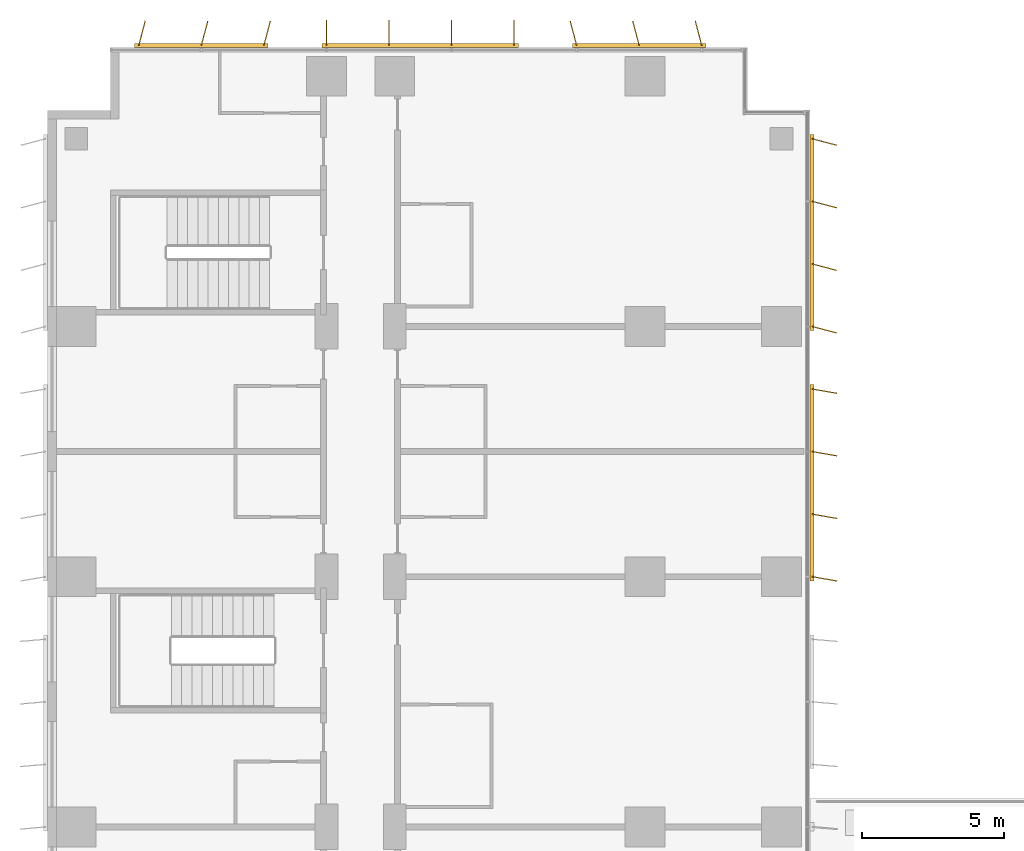
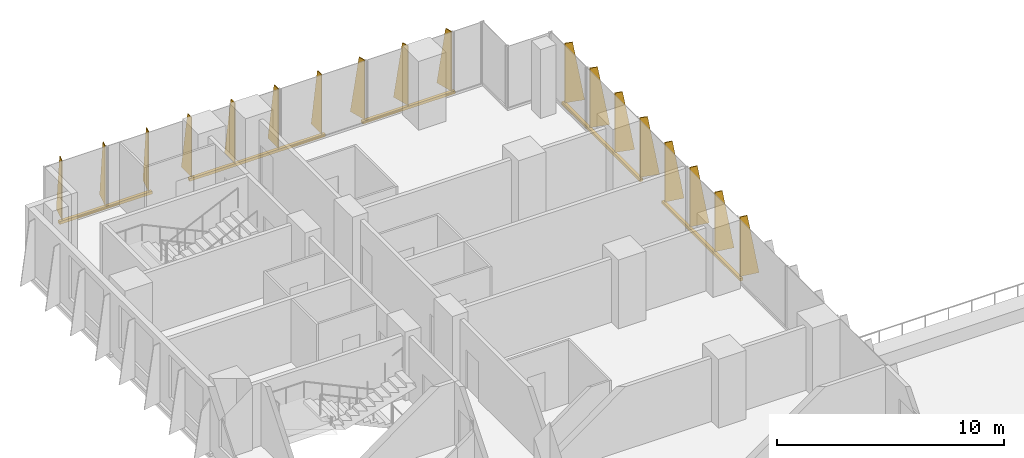
# One storey, part 23 of 23: 5 shading devices.
"""IFC4 building model written with IfcOpenShell, lengths in metres."""

from ifc_helpers import new_model, si_unit, direction, frame, origin, origin_2d, place, context, subcontext, project, spatial, polyline, rectangle, outline, extrude, source, transform, mapped, material, layer, layer_set, type_object, element, save


model = new_model("IFC4")

# Units and contexts
model_context = context("Model", 3, precision=1e-05, world=origin(), true_north=direction((0.0, 1.0)))
body_context = subcontext(model_context, "Body", "Model", "MODEL_VIEW")
ifc_project = project(units=[si_unit("LENGTHUNIT", "METRE"), si_unit("AREAUNIT", "SQUARE_METRE"), si_unit("VOLUMEUNIT", "CUBIC_METRE"), si_unit("PLANEANGLEUNIT", "RADIAN"), si_unit("MASSUNIT", "GRAM", prefix="KILO")], contexts=[model_context])

# Site, building, storey
site_placement = place(None, origin())
site = spatial("IfcSite", under=ifc_project, at=site_placement, CompositionType="ELEMENT")
building_placement = place(site_placement, origin())
building = spatial("IfcBuilding", under=site, at=building_placement, Name="Kemantara Hotel Tower", CompositionType="ELEMENT")
storey_placement = place(building_placement, frame((0.0, 0.0, 34.0)))
storey = spatial("IfcBuildingStorey", under=building, at=storey_placement, Name="L06", CompositionType="ELEMENT", Elevation=34.0)

# Shading devices
ifc_material = material(Name="Perforated aluminium plate 4 mm bronze anodised", Category="aluminium")
ifc_layer_1 = layer(ifc_material, 0.0400390625)
ifc_layer_set_1 = layer_set([ifc_layer_1], Name="Perforated aluminium plate 4 mm bronze anodised")
shading_device_type_1 = type_object("IfcShadingDeviceType", Name="SCREEN FIN CASSETTE, 3 BLADES AT -15.0 DEG, 3200 HIGH", PredefinedType="USERDEFINED", material=ifc_layer_set_1)
shared_shape_1 = source(origin(), body_context, "Body", "SweptSolid", [
    extrude(rectangle(XDim=4.699951171875, YDim=0.14990234375, at=origin_2d()), frame((2.199951171875, -0.074951171875, -0.14990234375), z_axis=(0.0, 0.0, 1.0), x_axis=(1.0, 0.0, 0.0)), (0.0, 0.0, 1.0), 0.14990234375),
    extrude(outline(polyline([(0.0, 0.0), (0.89990234375, 0.0), (0.35009765625, 3.199951171875), (0.0, 3.199951171875), (0.0, 0.0)])), frame((0.019287109375, -0.080078125, 0.0), z_axis=(-0.966437683387, 0.256901156343, 0.0), x_axis=(-0.256901156343, -0.966437683387, 0.0)), (0.0, 0.0, 1.0), 0.039794921875),
    extrude(outline(polyline([(0.0, 0.0), (0.89990234375, 0.0), (0.35009765625, 3.199951171875), (0.0, 3.199951171875), (0.0, 0.0)])), frame((2.21923828125, -0.080078125, 0.0), z_axis=(-0.966437683387, 0.256901156343, 0.0), x_axis=(-0.256901156343, -0.966437683387, 0.0)), (0.0, 0.0, 1.0), 0.039794921875),
    extrude(outline(polyline([(0.0, 0.0), (0.89990234375, 0.0), (0.35009765625, 3.199951171875), (0.0, 3.199951171875), (0.0, 0.0)])), frame((4.41943359375, -0.080078125, 0.0), z_axis=(-0.966837822169, 0.255391122837, 0.0), x_axis=(-0.255391122837, -0.966837822169, 0.0)), (0.0, 0.0, 1.0), 0.0400390625),
])
shading_device_1_placement = place(storey_placement, frame((7.60009765625, 81.199951171875, 0.10009765625), z_axis=(0.0, 0.0, 1.0), x_axis=(-1.0, 0.0, 0.0)))
element("IfcShadingDevice", 1, at=shading_device_1_placement, inside=storey, type_object=shading_device_type_1, Name="SCREEN FIN CASSETTE L06 T1-R11-3", ObjectType="SCREEN FIN", PredefinedType="USERDEFINED", context=body_context, shape_type="MappedRepresentation", body=[
    mapped(shared_shape_1, transform((0.0, 0.0, 0.0))),
])
ifc_layer_2 = layer(ifc_material, 0.0400390625)
ifc_layer_set_2 = layer_set([ifc_layer_2], Name="Perforated aluminium plate 4 mm bronze anodised")
shading_device_type_2 = type_object("IfcShadingDeviceType", Name="SCREEN FIN CASSETTE, 4 BLADES AT -10.0 DEG, 3200 HIGH", PredefinedType="USERDEFINED", material=ifc_layer_set_2)
shared_shape_2 = source(origin(), body_context, "Body", "SweptSolid", [
    extrude(rectangle(XDim=6.89990234375, YDim=0.14990234375, at=origin_2d()), frame((3.300048828125, -0.074951171875, -0.14990234375), z_axis=(0.0, 0.0, 1.0), x_axis=(1.0, 0.0, 0.0)), (0.0, 0.0, 1.0), 0.14990234375),
    extrude(outline(polyline([(0.0, 0.0), (0.89990234375, 0.0), (0.35009765625, 3.199951171875), (0.0, 3.199951171875), (0.0, 0.0)])), frame((0.019775390625, -0.078369140625, 0.0), z_axis=(-0.985389793052, 0.170314285219, 0.0), x_axis=(-0.170314285219, -0.985389793052, 0.0)), (0.0, 0.0, 1.0), 0.0400390625),
    extrude(outline(polyline([(0.0, 0.0), (0.89990234375, 0.0), (0.35009765625, 3.199951171875), (0.0, 3.199951171875), (0.0, 0.0)])), frame((2.2197265625, -0.078369140625, 0.0), z_axis=(-0.98521175482, 0.171341174751, 0.0), x_axis=(-0.171341174751, -0.98521175482, 0.0)), (0.0, 0.0, 1.0), 0.039794921875),
    extrude(outline(polyline([(0.0, 0.0), (0.89990234375, 0.0), (0.35009765625, 3.199951171875), (0.0, 3.199951171875), (0.0, 0.0)])), frame((4.419677734375, -0.078369140625, 0.0), z_axis=(-0.98521175482, 0.171341174751, 0.0), x_axis=(-0.171341174751, -0.98521175482, 0.0)), (0.0, 0.0, 1.0), 0.039794921875),
    extrude(outline(polyline([(0.0, 0.0), (0.89990234375, 0.0), (0.35009765625, 3.199951171875), (0.0, 3.199951171875), (0.0, 0.0)])), frame((6.61962890625, -0.078369140625, 0.0), z_axis=(-0.98521175482, 0.171341174751, 0.0), x_axis=(-0.171341174751, -0.98521175482, 0.0)), (0.0, 0.0, 1.0), 0.039794921875),
])
shading_device_2_placement = place(storey_placement, frame((26.800048828125, 62.60009765625, 0.10009765625), z_axis=(0.0, 0.0, 1.0), x_axis=(0.0, 1.0, 0.0)))
element("IfcShadingDevice", 2, at=shading_device_2_placement, inside=storey, type_object=shading_device_type_2, Name="SCREEN FIN CASSETTE L06 T1-R08-9", ObjectType="SCREEN FIN", PredefinedType="USERDEFINED", context=body_context, shape_type="MappedRepresentation", body=[
    mapped(shared_shape_2, transform((0.0, 0.0, 0.0))),
])
ifc_layer_3 = layer(ifc_material, 0.0400390625)
ifc_layer_set_3 = layer_set([ifc_layer_3], Name="Perforated aluminium plate 4 mm bronze anodised")
shading_device_type_3 = type_object("IfcShadingDeviceType", Name="SCREEN FIN CASSETTE, 4 BLADES AT +0.0 DEG, 3200 HIGH", PredefinedType="USERDEFINED", material=ifc_layer_set_3)
shared_shape_3 = source(origin(), body_context, "Body", "SweptSolid", [
    extrude(rectangle(XDim=6.89990234375, YDim=0.14990234375, at=origin_2d()), frame((3.300048828125, -0.074951171875, -0.14990234375), z_axis=(0.0, 0.0, 1.0), x_axis=(1.0, 0.0, 0.0)), (0.0, 0.0, 1.0), 0.14990234375),
    extrude(outline(polyline([(0.0, 0.0), (0.89990234375, 0.0), (0.35009765625, 3.199951171875), (0.0, 3.199951171875), (0.0, 0.0)])), frame((0.02001953125, -0.074951171875, 0.0), z_axis=(-1.0, 0.0, 0.0), x_axis=(0.0, -1.0, 0.0)), (0.0, 0.0, 1.0), 0.0400390625),
    extrude(outline(polyline([(0.0, 0.0), (0.89990234375, 0.0), (0.35009765625, 3.199951171875), (0.0, 3.199951171875), (0.0, 0.0)])), frame((2.219970703125, -0.074951171875, 0.0), z_axis=(-1.0, 0.0, 0.0), x_axis=(0.0, -1.0, 0.0)), (0.0, 0.0, 1.0), 0.0400390625),
    extrude(outline(polyline([(0.0, 0.0), (0.89990234375, 0.0), (0.35009765625, 3.199951171875), (0.0, 3.199951171875), (0.0, 0.0)])), frame((4.419921875, -0.074951171875, 0.0), z_axis=(-1.0, 0.0, 0.0), x_axis=(0.0, -1.0, 0.0)), (0.0, 0.0, 1.0), 0.0400390625),
    extrude(outline(polyline([(0.0, 0.0), (0.89990234375, 0.0), (0.35009765625, 3.199951171875), (0.0, 3.199951171875), (0.0, 0.0)])), frame((6.6201171875, -0.074951171875, 0.0), z_axis=(-1.0, 0.0, 0.0), x_axis=(0.0, -1.0, 0.0)), (0.0, 0.0, 1.0), 0.0400390625),
])
shading_device_3_placement = place(storey_placement, frame((16.39990234375, 81.199951171875, 0.10009765625), z_axis=(0.0, 0.0, 1.0), x_axis=(-1.0, 0.0, 0.0)))
element("IfcShadingDevice", 3, at=shading_device_3_placement, inside=storey, type_object=shading_device_type_3, Name="SCREEN FIN CASSETTE L06 T1-R11-2", ObjectType="SCREEN FIN", PredefinedType="USERDEFINED", context=body_context, shape_type="MappedRepresentation", body=[
    mapped(shared_shape_3, transform((0.0, 0.0, 0.0))),
])
ifc_layer_4 = layer(ifc_material, 0.0400390625)
ifc_layer_set_4 = layer_set([ifc_layer_4], Name="Perforated aluminium plate 4 mm bronze anodised")
shading_device_type_4 = type_object("IfcShadingDeviceType", Name="SCREEN FIN CASSETTE, 3 BLADES AT +15.0 DEG, 3200 HIGH", PredefinedType="USERDEFINED", material=ifc_layer_set_4)
shared_shape_4 = source(origin(), body_context, "Body", "SweptSolid", [
    extrude(rectangle(XDim=4.699951171875, YDim=0.14990234375, at=origin_2d()), frame((2.199951171875, -0.074951171875, -0.14990234375), z_axis=(0.0, 0.0, 1.0), x_axis=(1.0, 0.0, 0.0)), (0.0, 0.0, 1.0), 0.14990234375),
    extrude(outline(polyline([(0.0, 0.0), (0.89990234375, 0.0), (0.35009765625, 3.199951171875), (0.0, 3.199951171875), (0.0, 0.0)])), frame((0.019287109375, -0.06982421875, 0.0), z_axis=(-0.966437683387, -0.256901156343, 0.0), x_axis=(0.256901156343, -0.966437683387, 0.0)), (0.0, 0.0, 1.0), 0.039794921875),
    extrude(outline(polyline([(0.0, 0.0), (0.89990234375, 0.0), (0.35009765625, 3.199951171875), (0.0, 3.199951171875), (0.0, 0.0)])), frame((2.21923828125, -0.06982421875, 0.0), z_axis=(-0.966437683387, -0.256901156343, 0.0), x_axis=(0.256901156343, -0.966437683387, 0.0)), (0.0, 0.0, 1.0), 0.039794921875),
    extrude(outline(polyline([(0.0, 0.0), (0.89990234375, 0.0), (0.35009765625, 3.199951171875), (0.0, 3.199951171875), (0.0, 0.0)])), frame((4.41943359375, -0.06982421875, 0.0), z_axis=(-0.966837822169, -0.255391122837, 0.0), x_axis=(0.255391122837, -0.966837822169, 0.0)), (0.0, 0.0, 1.0), 0.0400390625),
])
shading_device_4_placement = place(storey_placement, frame((23.0, 81.199951171875, 0.10009765625), z_axis=(0.0, 0.0, 1.0), x_axis=(-1.0, 0.0, 0.0)))
element("IfcShadingDevice", 4, at=shading_device_4_placement, inside=storey, type_object=shading_device_type_4, Name="SCREEN FIN CASSETTE L06 T1-R11-1", ObjectType="SCREEN FIN", PredefinedType="USERDEFINED", context=body_context, shape_type="MappedRepresentation", body=[
    mapped(shared_shape_4, transform((0.0, 0.0, 0.0))),
])
ifc_layer_5 = layer(ifc_material, 0.0400390625)
ifc_layer_set_5 = layer_set([ifc_layer_5], Name="Perforated aluminium plate 4 mm bronze anodised")
shading_device_type_5 = type_object("IfcShadingDeviceType", Name="SCREEN FIN CASSETTE, 4 BLADES AT -15.0 DEG, 3200 HIGH", PredefinedType="USERDEFINED", material=ifc_layer_set_5)
shared_shape_5 = source(origin(), body_context, "Body", "SweptSolid", [
    extrude(rectangle(XDim=6.89990234375, YDim=0.14990234375, at=origin_2d()), frame((3.300048828125, -0.074951171875, -0.14990234375), z_axis=(0.0, 0.0, 1.0), x_axis=(1.0, 0.0, 0.0)), (0.0, 0.0, 1.0), 0.14990234375),
    extrude(outline(polyline([(0.0, 0.0), (0.89990234375, 0.0), (0.35009765625, 3.199951171875), (0.0, 3.199951171875), (0.0, 0.0)])), frame((0.019287109375, -0.080078125, 0.0), z_axis=(-0.966437683387, 0.256901156343, 0.0), x_axis=(-0.256901156343, -0.966437683387, 0.0)), (0.0, 0.0, 1.0), 0.039794921875),
    extrude(outline(polyline([(0.0, 0.0), (0.89990234375, 0.0), (0.35009765625, 3.199951171875), (0.0, 3.199951171875), (0.0, 0.0)])), frame((2.21923828125, -0.080078125, 0.0), z_axis=(-0.966437683387, 0.256901156343, 0.0), x_axis=(-0.256901156343, -0.966437683387, 0.0)), (0.0, 0.0, 1.0), 0.039794921875),
    extrude(outline(polyline([(0.0, 0.0), (0.89990234375, 0.0), (0.35009765625, 3.199951171875), (0.0, 3.199951171875), (0.0, 0.0)])), frame((4.41943359375, -0.080078125, 0.0), z_axis=(-0.966837822169, 0.255391122837, 0.0), x_axis=(-0.255391122837, -0.966837822169, 0.0)), (0.0, 0.0, 1.0), 0.0400390625),
    extrude(outline(polyline([(0.0, 0.0), (0.89990234375, 0.0), (0.35009765625, 3.199951171875), (0.0, 3.199951171875), (0.0, 0.0)])), frame((6.619384765625, -0.080078125, 0.0), z_axis=(-0.966837822169, 0.255391122837, 0.0), x_axis=(-0.255391122837, -0.966837822169, 0.0)), (0.0, 0.0, 1.0), 0.0400390625),
])
shading_device_5_placement = place(storey_placement, frame((26.800048828125, 71.39990234375, 0.10009765625), z_axis=(0.0, 0.0, 1.0), x_axis=(0.0, 1.0, 0.0)))
element("IfcShadingDevice", 5, at=shading_device_5_placement, inside=storey, type_object=shading_device_type_5, Name="SCREEN FIN CASSETTE L06 T1-R08-10", ObjectType="SCREEN FIN", PredefinedType="USERDEFINED", context=body_context, shape_type="MappedRepresentation", body=[
    mapped(shared_shape_5, transform((0.0, 0.0, 0.0))),
])

save(model, "model.ifc")
